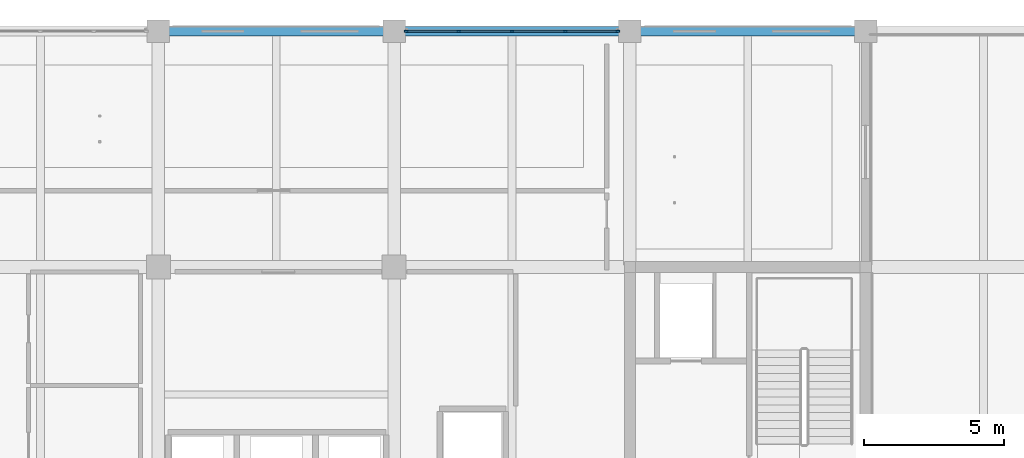
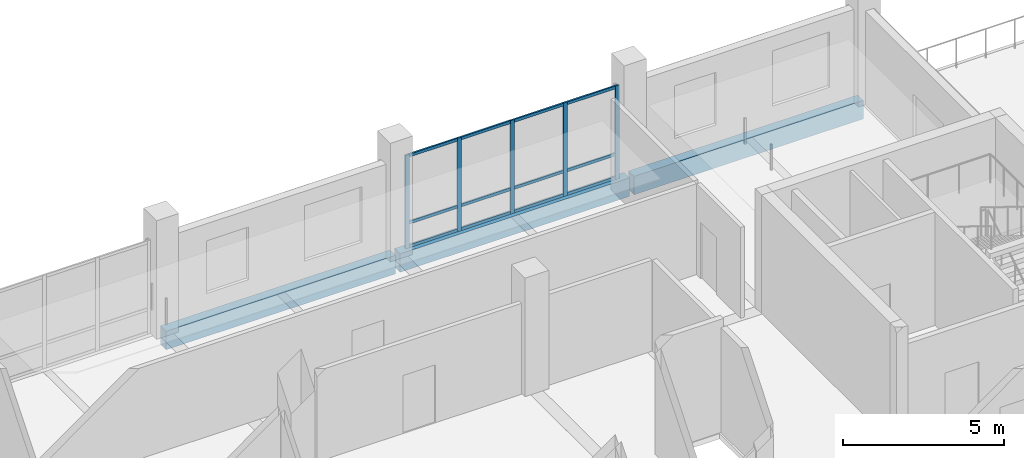
# One storey, part 9 of 36: 17 members, 3 beams, 1 element without a shape of its own.
"""IFC4 building model written with IfcOpenShell, lengths in metres."""

from ifc_helpers import new_model, si_unit, direction, frame, origin, origin_2d, place, context, subcontext, project, spatial, rectangle, extrude, material, layer, layer_set, material_profile, profile_set, type_object, element, aggregate, save


model = new_model("IFC4")

# Units and contexts
model_context = context("Model", 3, precision=1e-05, world=origin(), true_north=direction((0.0, 1.0)))
body_context = subcontext(model_context, "Body", "Model", "MODEL_VIEW")
ifc_project = project(units=[si_unit("LENGTHUNIT", "METRE"), si_unit("AREAUNIT", "SQUARE_METRE"), si_unit("VOLUMEUNIT", "CUBIC_METRE"), si_unit("PLANEANGLEUNIT", "RADIAN"), si_unit("MASSUNIT", "GRAM", prefix="KILO")], contexts=[model_context])

# Site, building, storey
site_placement = place(None, origin())
site = spatial("IfcSite", under=ifc_project, at=site_placement, CompositionType="ELEMENT")
building_placement = place(site_placement, origin())
building = spatial("IfcBuilding", under=site, at=building_placement, Name="Telukmera Botanical Conservatory", CompositionType="ELEMENT")
storey_placement = place(building_placement, frame((0.0, 0.0, 33.0)))
storey = spatial("IfcBuildingStorey", under=building, at=storey_placement, Name="L07", CompositionType="ELEMENT", Elevation=33.0)

# Beams
ifc_material_1 = material(Name="Precast concrete C40/50", Category="concrete")
ifc_material_profile_1 = material_profile(ifc_material_1, rectangle(XDim=0.35009765625, YDim=0.699951171875, at=origin_2d()), Name="PC 350x700")
ifc_profile_set_1 = profile_set([ifc_material_profile_1], Name="Precast concrete C40/50")
beam_type = type_object("IfcBeamType", Name="Beam_SP2", PredefinedType="SPANDREL", material=ifc_profile_set_1)
for number, where, z_axis, x_axis, name in (
    (1, (75.679931640625, 42.800048828125, -0.35009765625), (1.0, 0.0, 0.0), (0.0, 1.0, 0.0), "Tower Grid Beam L07"),
    (2, (84.080078125, 42.800048828125, -0.35009765625), (1.0, 0.0, 0.0), (0.0, 1.0, 0.0), "Tower Grid Beam L07"),
    (3, (92.47998046875, 42.800048828125, -0.35009765625), (1.0, 0.0, 0.0), (0.0, 1.0, 0.0), "Tower Grid Beam L07"),
):
    element("IfcBeam", number, at=place(storey_placement, frame(where, z_axis=z_axis, x_axis=x_axis)), inside=storey, type_object=beam_type, Name=name, PredefinedType="SPANDREL", context=body_context, shape_type="SweptSolid", body=[
        extrude(rectangle(XDim=0.35009765625, YDim=0.699951171875, at=origin_2d()), origin(), (0.0, 0.0, 1.0), 8.239990234375),
    ])

# Curtain wall, members
ifc_material_2 = material(Name="Anodised aluminium 6063-T6", Category="aluminium")
ifc_layer = layer(ifc_material_2, 0.179931640625)
ifc_layer_set = layer_set([ifc_layer], Name="Anodised aluminium 6063-T6")
curtain_wall_type = type_object("IfcCurtainWallType", Name="Tower Research Laboratory Unitised Curtain Wall", PredefinedType="USERDEFINED", material=ifc_layer_set)
curtain_wall_placement = place(storey_placement, origin())
curtain_wall = element("IfcCurtainWall", 4, at=curtain_wall_placement, inside=storey, type_object=curtain_wall_type, Name="Unitised Curtain Wall CW15 V4:L07:N5", ObjectType="UNITISED CURTAIN WALL", PredefinedType="USERDEFINED")
ifc_material_profile_2 = material_profile(ifc_material_2, rectangle(XDim=0.06005859375, YDim=0.139892578125, at=origin_2d()), Name="ALU MULL 60x140")
ifc_profile_set_2 = profile_set([ifc_material_profile_2], Name="Anodised aluminium 6063-T6")
member_type_1 = type_object("IfcMemberType", Name="Curtain Wall Extruded Mullion 60x140", PredefinedType="MULLION", material=ifc_profile_set_2)
member_1_placement = place(storey_placement, frame((84.431884765625, 42.800048828125, 0.0), z_axis=(0.0, 0.0, 1.0), x_axis=(0.0, 1.0, 0.0)))
member_1 = element("IfcMember", 5, at=member_1_placement, type_object=member_type_1, Name="CW15 mullion 1", PredefinedType="MULLION", context=body_context, shape_type="SweptSolid", body=[
    extrude(rectangle(XDim=0.06005859375, YDim=0.139892578125, at=origin_2d()), origin(), (0.0, 0.0, 1.0), 3.550048828125),
])
member_2_placement = place(storey_placement, frame((86.301025390625, 42.800048828125, 0.0), z_axis=(0.0, 0.0, 1.0), x_axis=(0.0, 1.0, 0.0)))
member_2 = element("IfcMember", 6, at=member_2_placement, type_object=member_type_1, Name="CW15 mullion 2", PredefinedType="MULLION", context=body_context, shape_type="SweptSolid", body=[
    extrude(rectangle(XDim=0.06005859375, YDim=0.139892578125, at=origin_2d()), origin(), (0.0, 0.0, 1.0), 3.550048828125),
])
member_3_placement = place(storey_placement, frame((88.199951171875, 42.800048828125, 0.0), z_axis=(0.0, 0.0, 1.0), x_axis=(0.0, 1.0, 0.0)))
member_3 = element("IfcMember", 7, at=member_3_placement, type_object=member_type_1, Name="CW15 mullion 3", PredefinedType="MULLION", context=body_context, shape_type="SweptSolid", body=[
    extrude(rectangle(XDim=0.06005859375, YDim=0.139892578125, at=origin_2d()), origin(), (0.0, 0.0, 1.0), 3.550048828125),
])
member_4_placement = place(storey_placement, frame((90.09912109375, 42.800048828125, 0.0), z_axis=(0.0, 0.0, 1.0), x_axis=(0.0, 1.0, 0.0)))
member_4 = element("IfcMember", 8, at=member_4_placement, type_object=member_type_1, Name="CW15 mullion 4", PredefinedType="MULLION", context=body_context, shape_type="SweptSolid", body=[
    extrude(rectangle(XDim=0.06005859375, YDim=0.139892578125, at=origin_2d()), origin(), (0.0, 0.0, 1.0), 3.550048828125),
])
member_5_placement = place(storey_placement, frame((91.968017578125, 42.800048828125, 0.0), z_axis=(0.0, 0.0, 1.0), x_axis=(0.0, 1.0, 0.0)))
member_5 = element("IfcMember", 9, at=member_5_placement, type_object=member_type_1, Name="CW15 mullion 5", PredefinedType="MULLION", context=body_context, shape_type="SweptSolid", body=[
    extrude(rectangle(XDim=0.06005859375, YDim=0.139892578125, at=origin_2d()), origin(), (0.0, 0.0, 1.0), 3.550048828125),
])
ifc_material_profile_3 = material_profile(ifc_material_2, rectangle(XDim=0.06005859375, YDim=0.110107421875, at=origin_2d()), Name="ALU TRAN 60x110")
ifc_profile_set_3 = profile_set([ifc_material_profile_3], Name="Anodised aluminium 6063-T6")
member_type_2 = type_object("IfcMemberType", Name="Curtain Wall Extruded Transom 60x110", PredefinedType="USERDEFINED", material=ifc_profile_set_3)
member_6_placement = place(storey_placement, frame((84.4619140625, 42.800048828125, 0.054931640625), z_axis=(1.0, 0.0, 0.0), x_axis=(0.0, 1.0, 0.0)))
member_6 = element("IfcMember", 10, at=member_6_placement, type_object=member_type_2, Name="CW15 transom 1.1", ObjectType="TRANSOM", PredefinedType="USERDEFINED", context=body_context, shape_type="SweptSolid", body=[
    extrude(rectangle(XDim=0.06005859375, YDim=0.110107421875, at=origin_2d()), origin(), (0.0, 0.0, 1.0), 1.80908203125),
])
member_7_placement = place(storey_placement, frame((84.4619140625, 42.800048828125, 0.949951171875), z_axis=(1.0, 0.0, 0.0), x_axis=(0.0, 1.0, 0.0)))
member_7 = element("IfcMember", 11, at=member_7_placement, type_object=member_type_2, Name="CW15 transom 1.2", ObjectType="TRANSOM", PredefinedType="USERDEFINED", context=body_context, shape_type="SweptSolid", body=[
    extrude(rectangle(XDim=0.06005859375, YDim=0.110107421875, at=origin_2d()), origin(), (0.0, 0.0, 1.0), 1.80908203125),
])
member_8_placement = place(storey_placement, frame((84.4619140625, 42.800048828125, 3.4951171875), z_axis=(1.0, 0.0, 0.0), x_axis=(0.0, 1.0, 0.0)))
member_8 = element("IfcMember", 12, at=member_8_placement, type_object=member_type_2, Name="CW15 transom 1.3", ObjectType="TRANSOM", PredefinedType="USERDEFINED", context=body_context, shape_type="SweptSolid", body=[
    extrude(rectangle(XDim=0.06005859375, YDim=0.110107421875, at=origin_2d()), origin(), (0.0, 0.0, 1.0), 1.80908203125),
])
member_9_placement = place(storey_placement, frame((86.3310546875, 42.800048828125, 0.054931640625), z_axis=(1.0, 0.0, 0.0), x_axis=(0.0, 1.0, 0.0)))
member_9 = element("IfcMember", 13, at=member_9_placement, type_object=member_type_2, Name="CW15 transom 2.1", ObjectType="TRANSOM", PredefinedType="USERDEFINED", context=body_context, shape_type="SweptSolid", body=[
    extrude(rectangle(XDim=0.06005859375, YDim=0.110107421875, at=origin_2d()), origin(), (0.0, 0.0, 1.0), 1.8388671875),
])
member_10_placement = place(storey_placement, frame((86.3310546875, 42.800048828125, 0.949951171875), z_axis=(1.0, 0.0, 0.0), x_axis=(0.0, 1.0, 0.0)))
member_10 = element("IfcMember", 14, at=member_10_placement, type_object=member_type_2, Name="CW15 transom 2.2", ObjectType="TRANSOM", PredefinedType="USERDEFINED", context=body_context, shape_type="SweptSolid", body=[
    extrude(rectangle(XDim=0.06005859375, YDim=0.110107421875, at=origin_2d()), origin(), (0.0, 0.0, 1.0), 1.8388671875),
])
member_11_placement = place(storey_placement, frame((86.3310546875, 42.800048828125, 3.4951171875), z_axis=(1.0, 0.0, 0.0), x_axis=(0.0, 1.0, 0.0)))
member_11 = element("IfcMember", 15, at=member_11_placement, type_object=member_type_2, Name="CW15 transom 2.3", ObjectType="TRANSOM", PredefinedType="USERDEFINED", context=body_context, shape_type="SweptSolid", body=[
    extrude(rectangle(XDim=0.06005859375, YDim=0.110107421875, at=origin_2d()), origin(), (0.0, 0.0, 1.0), 1.8388671875),
])
member_12_placement = place(storey_placement, frame((88.22998046875, 42.800048828125, 0.054931640625), z_axis=(1.0, 0.0, 0.0), x_axis=(0.0, 1.0, 0.0)))
member_12 = element("IfcMember", 16, at=member_12_placement, type_object=member_type_2, Name="CW15 transom 3.1", ObjectType="TRANSOM", PredefinedType="USERDEFINED", context=body_context, shape_type="SweptSolid", body=[
    extrude(rectangle(XDim=0.06005859375, YDim=0.110107421875, at=origin_2d()), origin(), (0.0, 0.0, 1.0), 1.839111328125),
])
member_13_placement = place(storey_placement, frame((88.22998046875, 42.800048828125, 0.949951171875), z_axis=(1.0, 0.0, 0.0), x_axis=(0.0, 1.0, 0.0)))
member_13 = element("IfcMember", 17, at=member_13_placement, type_object=member_type_2, Name="CW15 transom 3.2", ObjectType="TRANSOM", PredefinedType="USERDEFINED", context=body_context, shape_type="SweptSolid", body=[
    extrude(rectangle(XDim=0.06005859375, YDim=0.110107421875, at=origin_2d()), origin(), (0.0, 0.0, 1.0), 1.839111328125),
])
member_14_placement = place(storey_placement, frame((88.22998046875, 42.800048828125, 3.4951171875), z_axis=(1.0, 0.0, 0.0), x_axis=(0.0, 1.0, 0.0)))
member_14 = element("IfcMember", 18, at=member_14_placement, type_object=member_type_2, Name="CW15 transom 3.3", ObjectType="TRANSOM", PredefinedType="USERDEFINED", context=body_context, shape_type="SweptSolid", body=[
    extrude(rectangle(XDim=0.06005859375, YDim=0.110107421875, at=origin_2d()), origin(), (0.0, 0.0, 1.0), 1.839111328125),
])
member_15_placement = place(storey_placement, frame((90.12890625, 42.800048828125, 0.054931640625), z_axis=(1.0, 0.0, 0.0), x_axis=(0.0, 1.0, 0.0)))
member_15 = element("IfcMember", 19, at=member_15_placement, type_object=member_type_2, Name="CW15 transom 4.1", ObjectType="TRANSOM", PredefinedType="USERDEFINED", context=body_context, shape_type="SweptSolid", body=[
    extrude(rectangle(XDim=0.06005859375, YDim=0.110107421875, at=origin_2d()), origin(), (0.0, 0.0, 1.0), 1.80908203125),
])
member_16_placement = place(storey_placement, frame((90.12890625, 42.800048828125, 0.949951171875), z_axis=(1.0, 0.0, 0.0), x_axis=(0.0, 1.0, 0.0)))
member_16 = element("IfcMember", 20, at=member_16_placement, type_object=member_type_2, Name="CW15 transom 4.2", ObjectType="TRANSOM", PredefinedType="USERDEFINED", context=body_context, shape_type="SweptSolid", body=[
    extrude(rectangle(XDim=0.06005859375, YDim=0.110107421875, at=origin_2d()), origin(), (0.0, 0.0, 1.0), 1.80908203125),
])
member_17_placement = place(storey_placement, frame((90.12890625, 42.800048828125, 3.4951171875), z_axis=(1.0, 0.0, 0.0), x_axis=(0.0, 1.0, 0.0)))
member_17 = element("IfcMember", 21, at=member_17_placement, type_object=member_type_2, Name="CW15 transom 4.3", ObjectType="TRANSOM", PredefinedType="USERDEFINED", context=body_context, shape_type="SweptSolid", body=[
    extrude(rectangle(XDim=0.06005859375, YDim=0.110107421875, at=origin_2d()), origin(), (0.0, 0.0, 1.0), 1.80908203125),
])
aggregate(curtain_wall, [member_1, member_2, member_3, member_4, member_5, member_6, member_7, member_8, member_9, member_10, member_11, member_12, member_13, member_14, member_15, member_16, member_17])

save(model, "model.ifc")
